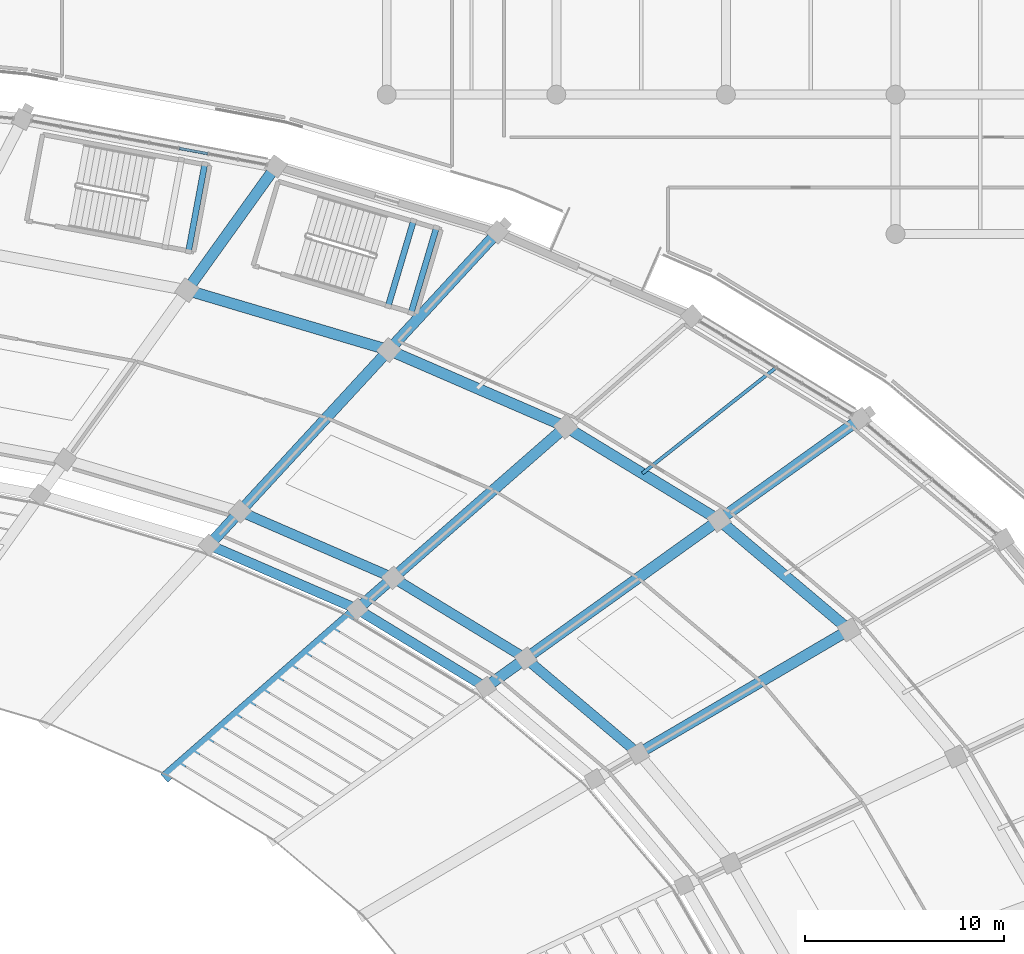
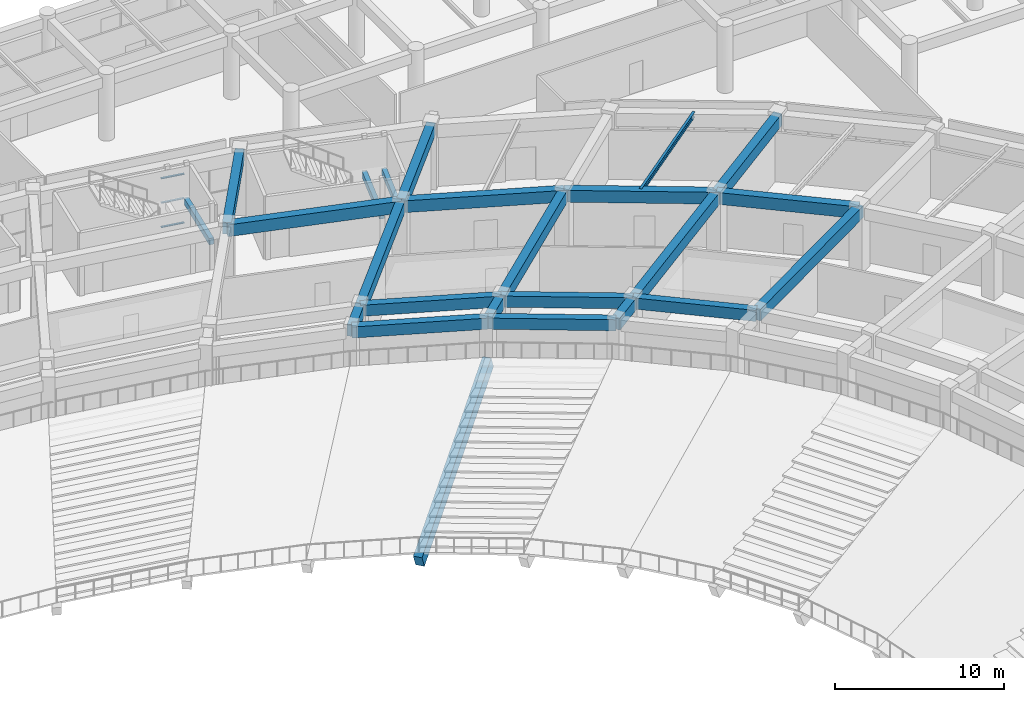
# One storey, part 71 of 152: 24 beams, 3 members, 1 element without a shape of its own.
"""IFC4 building model written with IfcOpenShell, lengths in metres."""

from ifc_helpers import new_model, si_unit, direction, frame, origin, origin_2d, place, context, subcontext, project, spatial, rectangle, i_section, extrude, material, layer, layer_set, material_profile, profile_set, type_object, element, aggregate, save


model = new_model("IFC4")

# Units and contexts
model_context = context("Model", 3, precision=1e-05, world=origin(), true_north=direction((0.0, 1.0)))
body_context = subcontext(model_context, "Body", "Model", "MODEL_VIEW")
ifc_project = project(units=[si_unit("LENGTHUNIT", "METRE"), si_unit("AREAUNIT", "SQUARE_METRE"), si_unit("VOLUMEUNIT", "CUBIC_METRE"), si_unit("PLANEANGLEUNIT", "RADIAN"), si_unit("MASSUNIT", "GRAM", prefix="KILO")], contexts=[model_context])

# Site, building, storey
site_placement = place(None, origin())
site = spatial("IfcSite", under=ifc_project, at=site_placement, CompositionType="ELEMENT")
building_placement = place(site_placement, origin())
building = spatial("IfcBuilding", under=site, at=building_placement, Name="Mphavela Belvedere Stadium", CompositionType="ELEMENT")
storey_placement = place(building_placement, frame((0.0, 0.0, 5.39990234375)))
storey = spatial("IfcBuildingStorey", under=building, at=storey_placement, Name="L01", CompositionType="ELEMENT", Elevation=5.39990234375)

# Beams
ifc_material_1 = material(Name="Steel S355", Category="steel")
ifc_material_profile_1 = material_profile(ifc_material_1, i_section(OverallWidth=0.169921875, OverallDepth=0.360107421875, WebThickness=0.008056640625, FlangeThickness=0.0126953125, at=origin_2d()), Name="IPE 360")
ifc_profile_set_1 = profile_set([ifc_material_profile_1], Name="Steel S355")
beam_type_1 = type_object("IfcBeamType", Name="BM-JOIST-IPE360", PredefinedType="JOIST", material=ifc_profile_set_1)
beam_1_placement = place(storey_placement, frame((183.210693359375, 140.97412109375, 4.3701171875), z_axis=(0.784195537739, 0.620513785979, 0.0), x_axis=(-0.620513785979, 0.784195537739, 0.0)))
element("IfcBeam", 1, at=beam_1_placement, inside=storey, type_object=beam_type_1, Name="Concourse floor joist L01-07", PredefinedType="JOIST", context=body_context, shape_type="SweptSolid", body=[
    extrude(i_section(OverallWidth=0.169921875, OverallDepth=0.360107421875, WebThickness=0.008056640625, FlangeThickness=0.0126953125, at=origin_2d()), origin(), (0.0, 0.0, 1.0), 8.56298828125),
])
ifc_material_2 = material(Name="Precast concrete C45/55", Category="concrete")
ifc_material_profile_2 = material_profile(ifc_material_2, rectangle(XDim=0.550048828125, YDim=1.0, at=origin_2d()), Name="PC 550x1000")
ifc_profile_set_2 = profile_set([ifc_material_profile_2], Name="Precast concrete C45/55")
beam_type_2 = type_object("IfcBeamType", Name="BM-RAKER-LOWER", PredefinedType="USERDEFINED", material=ifc_profile_set_2)
beam_2_placement = place(storey_placement, frame((159.351806640625, 125.80908203125, -4.75), z_axis=(0.680192771022, 0.595170851122, 0.427912902615), x_axis=(-0.65850597174, 0.752575501317, 0.0)))
element("IfcBeam", 2, at=beam_2_placement, inside=storey, type_object=beam_type_2, Name="Lower tier precast raker beam RK-L-08", ObjectType="RAKER BEAM", PredefinedType="USERDEFINED", context=body_context, shape_type="SweptSolid", body=[
    extrude(rectangle(XDim=0.550048828125, YDim=1.0, at=origin_2d()), origin(), (0.0, 0.0, 1.0), 14.021484375),
])
ifc_material_3 = material(Name="Concrete C40/50", Category="concrete")
ifc_material_profile_3 = material_profile(ifc_material_3, rectangle(XDim=0.300048828125, YDim=0.449951171875, at=origin_2d()), Name="RC 300x450")
ifc_profile_set_3 = profile_set([ifc_material_profile_3], Name="Concrete C40/50")
beam_type_3 = type_object("IfcBeamType", Name="BM-RC300x450", PredefinedType="BEAM", material=ifc_profile_set_3)
beam_3_placement = place(storey_placement, frame((170.44189453125, 149.372802734375, 1.97509765625), z_axis=(0.28454574359, 0.95866246396, 0.0), x_axis=(-0.95866246396, 0.28454574359, 0.0)))
element("IfcBeam", 3, at=beam_3_placement, inside=storey, type_object=beam_type_3, Name="Core P01 landing trimmer beam L01-1", PredefinedType="BEAM", context=body_context, shape_type="SweptSolid", body=[
    extrude(rectangle(XDim=0.300048828125, YDim=0.449951171875, at=origin_2d()), origin(), (0.0, 0.0, 1.0), 4.47021484375),
])
beam_4_placement = place(storey_placement, frame((171.59228515625, 149.031494140625, 1.97509765625), z_axis=(0.28456064248, 0.958658041614, 0.0), x_axis=(-0.958658041614, 0.28456064248, 0.0)))
element("IfcBeam", 4, at=beam_4_placement, inside=storey, type_object=beam_type_3, Name="Core P01 landing trimmer beam L01-2", PredefinedType="BEAM", context=body_context, shape_type="SweptSolid", body=[
    extrude(rectangle(XDim=0.300048828125, YDim=0.449951171875, at=origin_2d()), origin(), (0.0, 0.0, 1.0), 4.469970703125),
])
beam_5_placement = place(storey_placement, frame((160.4130859375, 152.12060546875, 1.97509765625), z_axis=(0.183084705806, 0.983097141945, 0.0), x_axis=(-0.983097141945, 0.183084705806, 0.0)))
element("IfcBeam", 5, at=beam_5_placement, inside=storey, type_object=beam_type_3, Name="Core P02 landing trimmer beam L01-2", PredefinedType="BEAM", context=body_context, shape_type="SweptSolid", body=[
    extrude(rectangle(XDim=0.300048828125, YDim=0.449951171875, at=origin_2d()), origin(), (0.0, 0.0, 1.0), 4.4697265625),
])
ifc_material_4 = material(Name="Concrete C40/50", Category="concrete")
ifc_material_profile_4 = material_profile(ifc_material_4, rectangle(XDim=0.5, YDim=0.800048828125, at=origin_2d()), Name="RC 500x800")
ifc_profile_set_4 = profile_set([ifc_material_profile_4], Name="Concrete C40/50")
beam_type_4 = type_object("IfcBeamType", Name="BM-RC500x800", PredefinedType="BEAM", material=ifc_profile_set_4)
beam_6_placement = place(storey_placement, frame((183.01171875, 126.901611328125, 4.150146484375), z_axis=(-0.764257451296, 0.644911271523, 0.0), x_axis=(-0.644911271523, -0.764257451296, 0.0)))
element("IfcBeam", 6, at=beam_6_placement, inside=storey, type_object=beam_type_4, Name="Circumferential girder L01 R2-06", PredefinedType="BEAM", context=body_context, shape_type="SweptSolid", body=[
    extrude(rectangle(XDim=0.5, YDim=0.800048828125, at=origin_2d()), origin(), (0.0, 0.0, 1.0), 7.4033203125),
])
beam_7_placement = place(storey_placement, frame((175.33740234375, 130.2314453125, 4.150146484375), z_axis=(-0.854325951403, 0.51973759606, 0.0), x_axis=(-0.51973759606, -0.854325951403, 0.0)))
element("IfcBeam", 7, at=beam_7_placement, inside=storey, type_object=beam_type_4, Name="Circumferential girder L01 R1-07", PredefinedType="BEAM", context=body_context, shape_type="SweptSolid", body=[
    extrude(rectangle(XDim=0.5, YDim=0.800048828125, at=origin_2d()), origin(), (0.0, 0.0, 1.0), 7.5478515625),
])
beam_8_placement = place(storey_placement, frame((177.353759765625, 131.676025390625, 4.150146484375), z_axis=(-0.854328477138, 0.519733444326, 0.0), x_axis=(-0.519733444326, -0.854328477138, 0.0)))
element("IfcBeam", 8, at=beam_8_placement, inside=storey, type_object=beam_type_4, Name="Circumferential girder L01 R2-07", PredefinedType="BEAM", context=body_context, shape_type="SweptSolid", body=[
    extrude(rectangle(XDim=0.5, YDim=0.800048828125, at=origin_2d()), origin(), (0.0, 0.0, 1.0), 7.800048828125),
])
beam_9_placement = place(storey_placement, frame((168.88916015625, 134.154296875, 4.150146484375), z_axis=(-0.917503251148, 0.397728279273, 0.0), x_axis=(-0.397728279273, -0.917503251148, 0.0)))
element("IfcBeam", 9, at=beam_9_placement, inside=storey, type_object=beam_type_4, Name="Circumferential girder L01 R1-08", PredefinedType="BEAM", context=body_context, shape_type="SweptSolid", body=[
    extrude(rectangle(XDim=0.5, YDim=0.800048828125, at=origin_2d()), origin(), (0.0, 0.0, 1.0), 8.107666015625),
])
beam_10_placement = place(storey_placement, frame((170.68994140625, 135.72998046875, 4.150146484375), z_axis=(-0.917495728928, 0.397745631526, 0.0), x_axis=(-0.397745631526, -0.917495728928, 0.0)))
element("IfcBeam", 10, at=beam_10_placement, inside=storey, type_object=beam_type_4, Name="Circumferential girder L01 R2-08", PredefinedType="BEAM", context=body_context, shape_type="SweptSolid", body=[
    extrude(rectangle(XDim=0.5, YDim=0.800048828125, at=origin_2d()), origin(), (0.0, 0.0, 1.0), 8.37841796875),
])
ifc_material_5 = material(Name="Concrete C40/50", Category="concrete")
ifc_material_profile_5 = material_profile(ifc_material_5, rectangle(XDim=0.550048828125, YDim=0.85009765625, at=origin_2d()), Name="RC 550x850")
ifc_profile_set_5 = profile_set([ifc_material_profile_5], Name="Concrete C40/50")
beam_type_5 = type_object("IfcBeamType", Name="BM-RC550x850", PredefinedType="BEAM", material=ifc_profile_set_5)
beam_11_placement = place(storey_placement, frame((193.600341796875, 133.11376953125, 4.125), z_axis=(-0.764263355392, 0.644904274761, 0.0), x_axis=(-0.644904274761, -0.764263355392, 0.0)))
element("IfcBeam", 11, at=beam_11_placement, inside=storey, type_object=beam_type_5, Name="Circumferential girder L01 R3-06", PredefinedType="BEAM", context=body_context, shape_type="SweptSolid", body=[
    extrude(rectangle(XDim=0.550048828125, YDim=0.85009765625, at=origin_2d()), origin(), (0.0, 0.0, 1.0), 8.55615234375),
])
beam_12_placement = place(storey_placement, frame((183.01171875, 126.901611328125, 4.125), z_axis=(0.862519003522, 0.506024671892, 0.0), x_axis=(-0.506024671892, 0.862519003522, 0.0)))
element("IfcBeam", 12, at=beam_12_placement, inside=storey, type_object=beam_type_5, Name="Radial concourse girder L01 R2R3-06", PredefinedType="BEAM", context=body_context, shape_type="SweptSolid", body=[
    extrude(rectangle(XDim=0.550048828125, YDim=0.85009765625, at=origin_2d()), origin(), (0.0, 0.0, 1.0), 12.2763671875),
])
beam_13_placement = place(storey_placement, frame((187.061279296875, 138.631591796875, 4.125), z_axis=(-0.854315160357, 0.519755333579, 0.0), x_axis=(-0.519755333579, -0.854315160357, 0.0)))
element("IfcBeam", 13, at=beam_13_placement, inside=storey, type_object=beam_type_5, Name="Circumferential girder L01 R3-07", PredefinedType="BEAM", context=body_context, shape_type="SweptSolid", body=[
    extrude(rectangle(XDim=0.550048828125, YDim=0.85009765625, at=origin_2d()), origin(), (0.0, 0.0, 1.0), 9.014404296875),
])
beam_14_placement = place(storey_placement, frame((175.33740234375, 130.2314453125, 4.125), z_axis=(0.81290799415, 0.582392129966, 0.0), x_axis=(-0.582392129966, 0.81290799415, 0.0)))
element("IfcBeam", 14, at=beam_14_placement, inside=storey, type_object=beam_type_5, Name="Radial concourse girder L01 R1R2-07", PredefinedType="BEAM", context=body_context, shape_type="SweptSolid", body=[
    extrude(rectangle(XDim=0.550048828125, YDim=0.85009765625, at=origin_2d()), origin(), (0.0, 0.0, 1.0), 2.48046875),
])
beam_15_placement = place(storey_placement, frame((177.353759765625, 131.676025390625, 4.125), z_axis=(0.812876169184, 0.582436548967, 0.0), x_axis=(-0.582436548967, 0.812876169184, 0.0)))
element("IfcBeam", 15, at=beam_15_placement, inside=storey, type_object=beam_type_5, Name="Radial concourse girder L01 R2R3-07", PredefinedType="BEAM", context=body_context, shape_type="SweptSolid", body=[
    extrude(rectangle(XDim=0.550048828125, YDim=0.85009765625, at=origin_2d()), origin(), (0.0, 0.0, 1.0), 11.942138671875),
])
beam_16_placement = place(storey_placement, frame((187.061279296875, 138.631591796875, 4.125), z_axis=(0.812882024932, 0.582428376319, 0.0), x_axis=(-0.582428376319, 0.812882024932, 0.0)))
element("IfcBeam", 16, at=beam_16_placement, inside=storey, type_object=beam_type_5, Name="Radial concourse girder L01 R3R4-07", PredefinedType="BEAM", context=body_context, shape_type="SweptSolid", body=[
    extrude(rectangle(XDim=0.550048828125, YDim=0.85009765625, at=origin_2d()), origin(), (0.0, 0.0, 1.0), 8.727294921875),
])
beam_17_placement = place(storey_placement, frame((179.360107421875, 143.31689453125, 4.125), z_axis=(-0.917501650019, 0.397731972832, 0.0), x_axis=(-0.397731972832, -0.917501650019, 0.0)))
element("IfcBeam", 17, at=beam_17_placement, inside=storey, type_object=beam_type_5, Name="Circumferential girder L01 R3-08", PredefinedType="BEAM", context=body_context, shape_type="SweptSolid", body=[
    extrude(rectangle(XDim=0.550048828125, YDim=0.85009765625, at=origin_2d()), origin(), (0.0, 0.0, 1.0), 9.6826171875),
])
beam_18_placement = place(storey_placement, frame((168.88916015625, 134.154296875, 4.125), z_axis=(0.752576694707, 0.658504607869, 0.0), x_axis=(-0.658504607869, 0.752576694707, 0.0)))
element("IfcBeam", 18, at=beam_18_placement, inside=storey, type_object=beam_type_5, Name="Radial concourse girder L01 R1R2-08", PredefinedType="BEAM", context=body_context, shape_type="SweptSolid", body=[
    extrude(rectangle(XDim=0.550048828125, YDim=0.85009765625, at=origin_2d()), origin(), (0.0, 0.0, 1.0), 2.392822265625),
])
beam_19_placement = place(storey_placement, frame((170.68994140625, 135.72998046875, 4.125), z_axis=(0.752554378136, 0.658530111648, 0.0), x_axis=(-0.658530111648, 0.752554378136, 0.0)))
element("IfcBeam", 19, at=beam_19_placement, inside=storey, type_object=beam_type_5, Name="Radial concourse girder L01 R2R3-08", PredefinedType="BEAM", context=body_context, shape_type="SweptSolid", body=[
    extrude(rectangle(XDim=0.550048828125, YDim=0.85009765625, at=origin_2d()), origin(), (0.0, 0.0, 1.0), 11.52099609375),
])
beam_20_placement = place(storey_placement, frame((170.476318359375, 147.16796875, 4.125), z_axis=(-0.958655230784, 0.284570111731, 0.0), x_axis=(-0.284570111731, -0.958655230784, 0.0)))
element("IfcBeam", 20, at=beam_20_placement, inside=storey, type_object=beam_type_5, Name="Circumferential girder L01 R3-09", PredefinedType="BEAM", context=body_context, shape_type="SweptSolid", body=[
    extrude(rectangle(XDim=0.550048828125, YDim=0.85009765625, at=origin_2d()), origin(), (0.0, 0.0, 1.0), 10.57568359375),
])
beam_21_placement = place(storey_placement, frame((161.450439453125, 137.37890625, 4.125), z_axis=(0.677846038514, 0.735203881975, 0.0), x_axis=(-0.735203881975, 0.677846038514, 0.0)))
element("IfcBeam", 21, at=beam_21_placement, inside=storey, type_object=beam_type_5, Name="Radial concourse girder L01 R1R2-09", PredefinedType="BEAM", context=body_context, shape_type="SweptSolid", body=[
    extrude(rectangle(XDim=0.550048828125, YDim=0.85009765625, at=origin_2d()), origin(), (0.0, 0.0, 1.0), 2.2900390625),
])
beam_22_placement = place(storey_placement, frame((163.002685546875, 139.0625, 4.125), z_axis=(0.677871643116, 0.735180274123, 0.0), x_axis=(-0.735180274123, 0.677871643116, 0.0)))
element("IfcBeam", 22, at=beam_22_placement, inside=storey, type_object=beam_type_5, Name="Radial concourse girder L01 R2R3-09", PredefinedType="BEAM", context=body_context, shape_type="SweptSolid", body=[
    extrude(rectangle(XDim=0.550048828125, YDim=0.85009765625, at=origin_2d()), origin(), (0.0, 0.0, 1.0), 11.025146484375),
])
beam_23_placement = place(storey_placement, frame((170.476318359375, 147.16796875, 4.125), z_axis=(0.67784325477, 0.735206448532, 0.0), x_axis=(-0.735206448532, 0.67784325477, 0.0)))
element("IfcBeam", 23, at=beam_23_placement, inside=storey, type_object=beam_type_5, Name="Radial concourse girder L01 R3R4-09", PredefinedType="BEAM", context=body_context, shape_type="SweptSolid", body=[
    extrude(rectangle(XDim=0.550048828125, YDim=0.85009765625, at=origin_2d()), origin(), (0.0, 0.0, 1.0), 8.056640625),
])
beam_24_placement = place(storey_placement, frame((160.337890625, 150.177490234375, 4.125), z_axis=(0.583043812448, 0.812440713385, 0.0), x_axis=(-0.812440713385, 0.583043812448, 0.0)))
element("IfcBeam", 24, at=beam_24_placement, inside=storey, type_object=beam_type_5, Name="Radial concourse girder L01 R3R4-10", PredefinedType="BEAM", context=body_context, shape_type="SweptSolid", body=[
    extrude(rectangle(XDim=0.550048828125, YDim=0.85009765625, at=origin_2d()), origin(), (0.0, 0.0, 1.0), 7.6552734375),
])

# Curtain wall, members
ifc_material_6 = material(Name="Anodised bronze unitised curtain wall framing")
ifc_layer = layer(ifc_material_6, 0.199951171875)
ifc_layer_set = layer_set([ifc_layer], Name="Anodised bronze unitised curtain wall framing")
curtain_wall_type = type_object("IfcCurtainWallType", Name="CW-UNIT-05", PredefinedType="USERDEFINED", material=ifc_layer_set)
curtain_wall_placement = place(storey_placement, origin())
curtain_wall = element("IfcCurtainWall", 25, at=curtain_wall_placement, inside=storey, type_object=curtain_wall_type, Name="Belvedere colonnade curtain wall L01-10", ObjectType="UNITISED CURTAIN WALL", PredefinedType="USERDEFINED")
ifc_material_7 = material(Name="Anodised bronze extruded aluminium", Category="aluminium")
ifc_material_profile_6 = material_profile(ifc_material_7, rectangle(XDim=0.139892578125, YDim=0.06005859375, at=origin_2d()), Name="CW-TRN 140x60")
ifc_profile_set_6 = profile_set([ifc_material_profile_6], Name="Anodised bronze extruded aluminium")
member_type = type_object("IfcMemberType", Name="CWT-140x60", PredefinedType="USERDEFINED", material=ifc_profile_set_6)
member_1_placement = place(storey_placement, frame((161.379150390625, 157.0341796875, 0.030029296875), z_axis=(-0.983083468117, 0.183158113977, 0.0), x_axis=(-0.183158113977, -0.983083468117, 0.0)))
member_1 = element("IfcMember", 26, at=member_1_placement, type_object=member_type, Name="CW-05 transom 3.1", ObjectType="TRANSOM", PredefinedType="USERDEFINED", context=body_context, shape_type="SweptSolid", body=[
    extrude(rectangle(XDim=0.139892578125, YDim=0.06005859375, at=origin_2d()), origin(), (0.0, 0.0, 1.0), 1.447509765625),
])
member_2_placement = place(storey_placement, frame((161.379150390625, 157.0341796875, 1.78515625), z_axis=(-0.983083468117, 0.183158113977, 0.0), x_axis=(-0.183158113977, -0.983083468117, 0.0)))
member_2 = element("IfcMember", 27, at=member_2_placement, type_object=member_type, Name="CW-05 transom 3.2", ObjectType="TRANSOM", PredefinedType="USERDEFINED", context=body_context, shape_type="SweptSolid", body=[
    extrude(rectangle(XDim=0.139892578125, YDim=0.06005859375, at=origin_2d()), origin(), (0.0, 0.0, 1.0), 1.447509765625),
])
member_3_placement = place(storey_placement, frame((161.379150390625, 157.0341796875, 3.5400390625), z_axis=(-0.983083468117, 0.183158113977, 0.0), x_axis=(-0.183158113977, -0.983083468117, 0.0)))
member_3 = element("IfcMember", 28, at=member_3_placement, type_object=member_type, Name="CW-05 transom 3.3", ObjectType="TRANSOM", PredefinedType="USERDEFINED", context=body_context, shape_type="SweptSolid", body=[
    extrude(rectangle(XDim=0.139892578125, YDim=0.06005859375, at=origin_2d()), origin(), (0.0, 0.0, 1.0), 1.447509765625),
])
aggregate(curtain_wall, [member_1, member_2, member_3])

save(model, "model.ifc")
